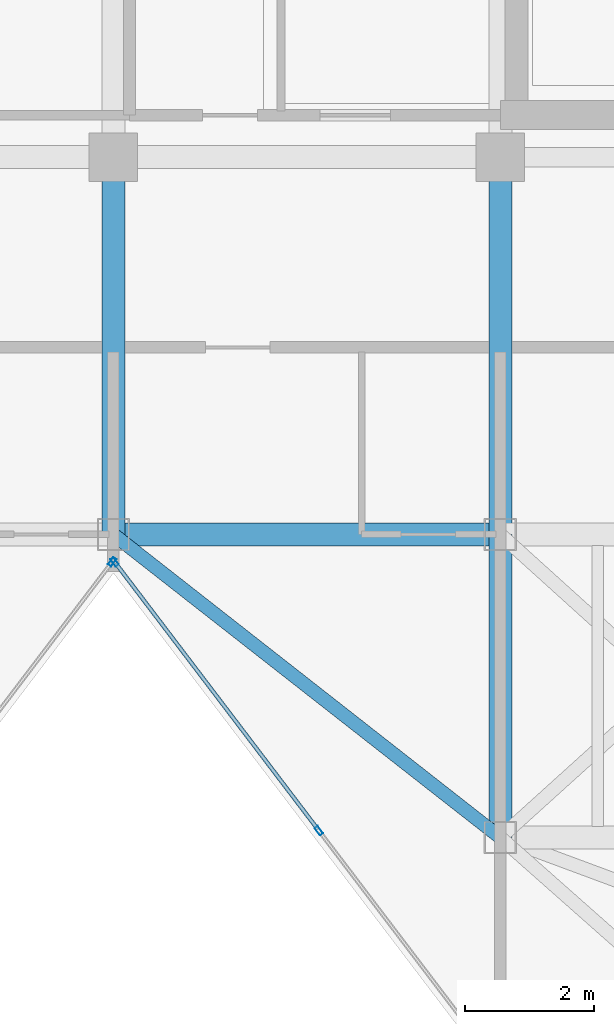
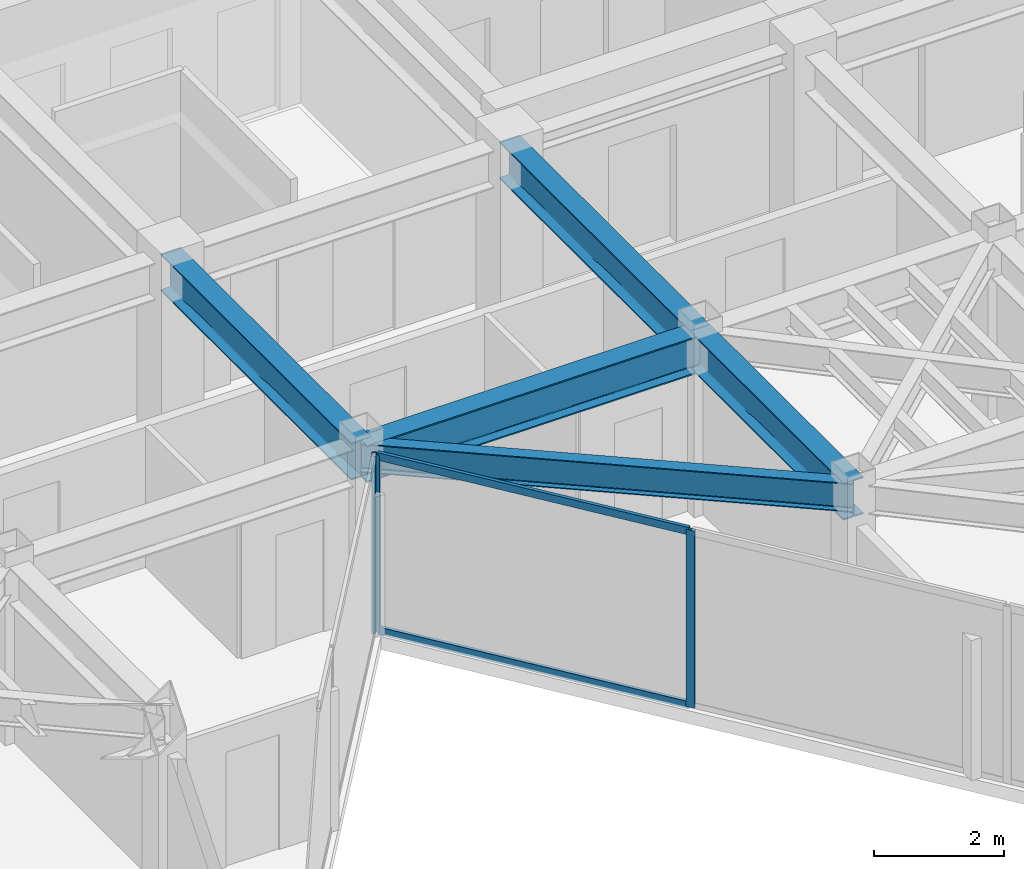
# One storey, part 9 of 19: 5 beams, 5 members, 2 elements without a shape of their own.
"""IFC4 building model written with IfcOpenShell, lengths in metres."""

from ifc_helpers import new_model, si_unit, direction, frame, origin, origin_2d, place, context, subcontext, project, spatial, hollow_rectangle, i_section, extrude, material, layer, layer_set, material_profile, profile_set, type_object, element, aggregate, save


model = new_model("IFC4")

# Units and contexts
model_context = context("Model", 3, precision=1e-05, world=origin(), true_north=direction((0.0, 1.0)))
body_context = subcontext(model_context, "Body", "Model", "MODEL_VIEW")
ifc_project = project(units=[si_unit("LENGTHUNIT", "METRE"), si_unit("AREAUNIT", "SQUARE_METRE"), si_unit("VOLUMEUNIT", "CUBIC_METRE"), si_unit("PLANEANGLEUNIT", "RADIAN"), si_unit("MASSUNIT", "GRAM", prefix="KILO")], contexts=[model_context])

# Site, building, storey
site_placement = place(None, origin())
site = spatial("IfcSite", under=ifc_project, at=site_placement, CompositionType="ELEMENT")
building_placement = place(site_placement, origin())
building = spatial("IfcBuilding", under=site, at=building_placement, Name="Kravanh Interchange Tower", CompositionType="ELEMENT")
storey_placement = place(building_placement, frame((0.0, 0.0, 274.199951171875)))
storey = spatial("IfcBuildingStorey", under=building, at=storey_placement, Name="L67", CompositionType="ELEMENT", Elevation=274.199951171875)

# Curtain wall, members
ifc_material_1 = material(Name="Anodised Bronze Aluminium", Category="aluminium")
ifc_layer = layer(ifc_material_1, 0.179931640625)
ifc_layer_set = layer_set([ifc_layer], Name="Unitised Curtain Wall System CW-HTL Luxury Hotel")
curtain_wall_type = type_object("IfcCurtainWallType", Name="Unitised Curtain Wall System CW-HTL Luxury Hotel", PredefinedType="NOTDEFINED", material=ifc_layer_set)
curtain_wall_1_placement = place(storey_placement, origin())
curtain_wall_1 = element("IfcCurtainWall", 1, at=curtain_wall_1_placement, inside=storey, type_object=curtain_wall_type, Name="L67 Unitised Curtain Wall CW-L67-04", PredefinedType="NOTDEFINED")
ifc_material_2 = material(Name="Anodised Bronze Aluminium", Category="aluminium")
ifc_material_profile_1 = material_profile(ifc_material_2, hollow_rectangle(XDim=0.06005859375, YDim=0.139892578125, WallThickness=0.00390625, at=origin_2d()), Name="ALU60X140X4")
ifc_profile_set_1 = profile_set([ifc_material_profile_1], Name="Anodised Bronze Aluminium")
member_type_1 = type_object("IfcMemberType", Name="Curtain Wall Mullion ALU60X140X4 Bronze", PredefinedType="MULLION", material=ifc_profile_set_1)
member_1_placement = place(storey_placement, frame((47.986572265625, 26.905517578125, 0.0), z_axis=(0.0, 0.0, 1.0), x_axis=(-0.79616243806, -0.605082946564, 0.0)))
member_1 = element("IfcMember", 2, at=member_1_placement, type_object=member_type_1, Name="CW-HTL mullion 3", PredefinedType="MULLION", context=body_context, shape_type="SweptSolid", body=[
    extrude(hollow_rectangle(XDim=0.06005859375, YDim=0.139892578125, WallThickness=0.00390625, at=origin_2d()), origin(), (0.0, 0.0, 1.0), 3.320068359375),
])
member_2_placement = place(storey_placement, frame((44.818115234375, 31.074462890625, 0.0), z_axis=(0.0, 0.0, 1.0), x_axis=(-0.79616243806, -0.605082946564, 0.0)))
member_2 = element("IfcMember", 3, at=member_2_placement, type_object=member_type_1, Name="CW-HTL mullion 4", PredefinedType="MULLION", context=body_context, shape_type="SweptSolid", body=[
    extrude(hollow_rectangle(XDim=0.06005859375, YDim=0.139892578125, WallThickness=0.00390625, at=origin_2d()), origin(), (0.0, 0.0, 1.0), 3.320068359375),
])

# Curtain wall, member
curtain_wall_2_placement = place(storey_placement, origin())
curtain_wall_2 = element("IfcCurtainWall", 4, at=curtain_wall_2_placement, inside=storey, type_object=curtain_wall_type, Name="L67 Unitised Curtain Wall CW-L67-05", PredefinedType="NOTDEFINED")
member_3_placement = place(storey_placement, frame((44.78173828125, 31.074462890625, 0.0), z_axis=(0.0, 0.0, 1.0), x_axis=(0.79616243806, -0.605082946564, 0.0)))
member_3 = element("IfcMember", 5, at=member_3_placement, type_object=member_type_1, Name="CW-HTL mullion 1", PredefinedType="MULLION", context=body_context, shape_type="SweptSolid", body=[
    extrude(hollow_rectangle(XDim=0.06005859375, YDim=0.139892578125, WallThickness=0.00390625, at=origin_2d()), origin(), (0.0, 0.0, 1.0), 3.320068359375),
])
aggregate(curtain_wall_2, [member_3])

# Member
ifc_material_3 = material(Name="Anodised Bronze Aluminium", Category="aluminium")
ifc_material_profile_2 = material_profile(ifc_material_3, hollow_rectangle(XDim=0.06005859375, YDim=0.139892578125, WallThickness=0.00390625, at=origin_2d()), Name="ALU60X140X4")
ifc_profile_set_2 = profile_set([ifc_material_profile_2], Name="Anodised Bronze Aluminium")
member_type_2 = type_object("IfcMemberType", Name="Curtain Wall Transom ALU60X140X4 Bronze", PredefinedType="USERDEFINED", material=ifc_profile_set_2)
member_4_placement = place(storey_placement, frame((47.96826171875, 26.929443359375, 0.030029296875), z_axis=(-0.605059348861, 0.796180371747, 0.0), x_axis=(-0.796180371747, -0.605059348861, 0.0)))
member_4 = element("IfcMember", 6, at=member_4_placement, type_object=member_type_2, Name="CW-HTL transom 3.1", ObjectType="TRANSOM", PredefinedType="USERDEFINED", context=body_context, shape_type="SweptSolid", body=[
    extrude(hollow_rectangle(XDim=0.06005859375, YDim=0.139892578125, WallThickness=0.00390625, at=origin_2d()), origin(), (0.0, 0.0, 1.0), 5.176025390625),
])

member_5_placement = place(storey_placement, frame((47.96826171875, 26.929443359375, 3.2900390625), z_axis=(-0.605059348861, 0.796180371747, 0.0), x_axis=(-0.796180371747, -0.605059348861, 0.0)))
member_5 = element("IfcMember", 7, at=member_5_placement, type_object=member_type_2, Name="CW-HTL transom 3.2", ObjectType="TRANSOM", PredefinedType="USERDEFINED", context=body_context, shape_type="SweptSolid", body=[
    extrude(hollow_rectangle(XDim=0.06005859375, YDim=0.139892578125, WallThickness=0.00390625, at=origin_2d()), origin(), (0.0, 0.0, 1.0), 5.176025390625),
])

aggregate(curtain_wall_1, [member_1, member_2, member_4, member_5])

# Beams
ifc_material_4 = material(Name="Structural Steel S355", Category="steel")
ifc_material_profile_3 = material_profile(ifc_material_4, i_section(OverallWidth=0.35498046875, OverallDepth=0.696044921875, WebThickness=0.015380859375, FlangeThickness=0.02490234375, FilletRadius=0.02392578125, at=origin_2d()), Name="W27X146")
ifc_profile_set_3 = profile_set([ifc_material_profile_3], Name="Structural Steel S355")
beam_type_1 = type_object("IfcBeamType", Name="Floor Beam W27X146 Structural Steel S355", PredefinedType="BEAM", material=ifc_profile_set_3)
beam_1_placement = place(storey_placement, frame((44.800048828125, 31.5, 2.97216796875), z_axis=(0.0, 1.0, 0.0), x_axis=(-1.0, 0.0, 0.0)))
element("IfcBeam", 8, at=beam_1_placement, inside=storey, type_object=beam_type_1, Name="L67 Primary Floor Girder 1", PredefinedType="BEAM", context=body_context, shape_type="SweptSolid", body=[
    extrude(i_section(OverallWidth=0.35498046875, OverallDepth=0.696044921875, WebThickness=0.015380859375, FlangeThickness=0.02490234375, FilletRadius=0.02392578125, at=origin_2d()), origin(), (0.0, 0.0, 1.0), 5.85009765625),
])
beam_2_placement = place(storey_placement, frame((44.800048828125, 31.5, 2.97216796875), z_axis=(1.0, 0.0, 0.0), x_axis=(0.0, 1.0, 0.0)))
element("IfcBeam", 9, at=beam_2_placement, inside=storey, type_object=beam_type_1, Name="L67 Primary Floor Girder 2", PredefinedType="BEAM", context=body_context, shape_type="SweptSolid", body=[
    extrude(i_section(OverallWidth=0.35498046875, OverallDepth=0.696044921875, WebThickness=0.015380859375, FlangeThickness=0.02490234375, FilletRadius=0.02392578125, at=origin_2d()), origin(), (0.0, 0.0, 1.0), 6.0),
])
beam_3_placement = place(storey_placement, frame((50.800048828125, 31.5, 2.97216796875), z_axis=(0.0, -1.0, 0.0), x_axis=(1.0, 0.0, 0.0)))
element("IfcBeam", 10, at=beam_3_placement, inside=storey, type_object=beam_type_1, Name="L67 Primary Floor Girder 5", PredefinedType="BEAM", context=body_context, shape_type="SweptSolid", body=[
    extrude(i_section(OverallWidth=0.35498046875, OverallDepth=0.696044921875, WebThickness=0.015380859375, FlangeThickness=0.02490234375, FilletRadius=0.02392578125, at=origin_2d()), origin(), (0.0, 0.0, 1.0), 4.699951171875),
])
beam_4_placement = place(storey_placement, frame((50.800048828125, 31.5, 2.97216796875), z_axis=(0.0, 1.0, 0.0), x_axis=(-1.0, 0.0, 0.0)))
element("IfcBeam", 11, at=beam_4_placement, inside=storey, type_object=beam_type_1, Name="L67 Primary Floor Girder 7", PredefinedType="BEAM", context=body_context, shape_type="SweptSolid", body=[
    extrude(i_section(OverallWidth=0.35498046875, OverallDepth=0.696044921875, WebThickness=0.015380859375, FlangeThickness=0.02490234375, FilletRadius=0.02392578125, at=origin_2d()), origin(), (0.0, 0.0, 1.0), 5.85009765625),
])
ifc_material_5 = material(Name="Structural Steel S355", Category="steel")
ifc_material_profile_4 = material_profile(ifc_material_5, i_section(OverallWidth=0.2099609375, OverallDepth=0.537109375, WebThickness=0.010986328125, FlangeThickness=0.017333984375, FilletRadius=0.02001953125, at=origin_2d()), Name="W21X68")
ifc_profile_set_4 = profile_set([ifc_material_profile_4], Name="Structural Steel S355")
beam_type_2 = type_object("IfcBeamType", Name="Floor Spandrel W21X68 Structural Steel S355", PredefinedType="SPANDREL", material=ifc_profile_set_4)
beam_5_placement = place(storey_placement, frame((44.800048828125, 31.5, 3.051513671875), z_axis=(0.787231163579, -0.616658004967, 0.0), x_axis=(0.616658004967, 0.787231163579, 0.0)))
element("IfcBeam", 12, at=beam_5_placement, inside=storey, type_object=beam_type_2, Name="L67 Perimeter Spandrel 4", PredefinedType="SPANDREL", context=body_context, shape_type="SweptSolid", body=[
    extrude(i_section(OverallWidth=0.2099609375, OverallDepth=0.537109375, WebThickness=0.010986328125, FlangeThickness=0.017333984375, FilletRadius=0.02001953125, at=origin_2d()), origin(), (0.0, 0.0, 1.0), 7.62158203125),
])

save(model, "model.ifc")
